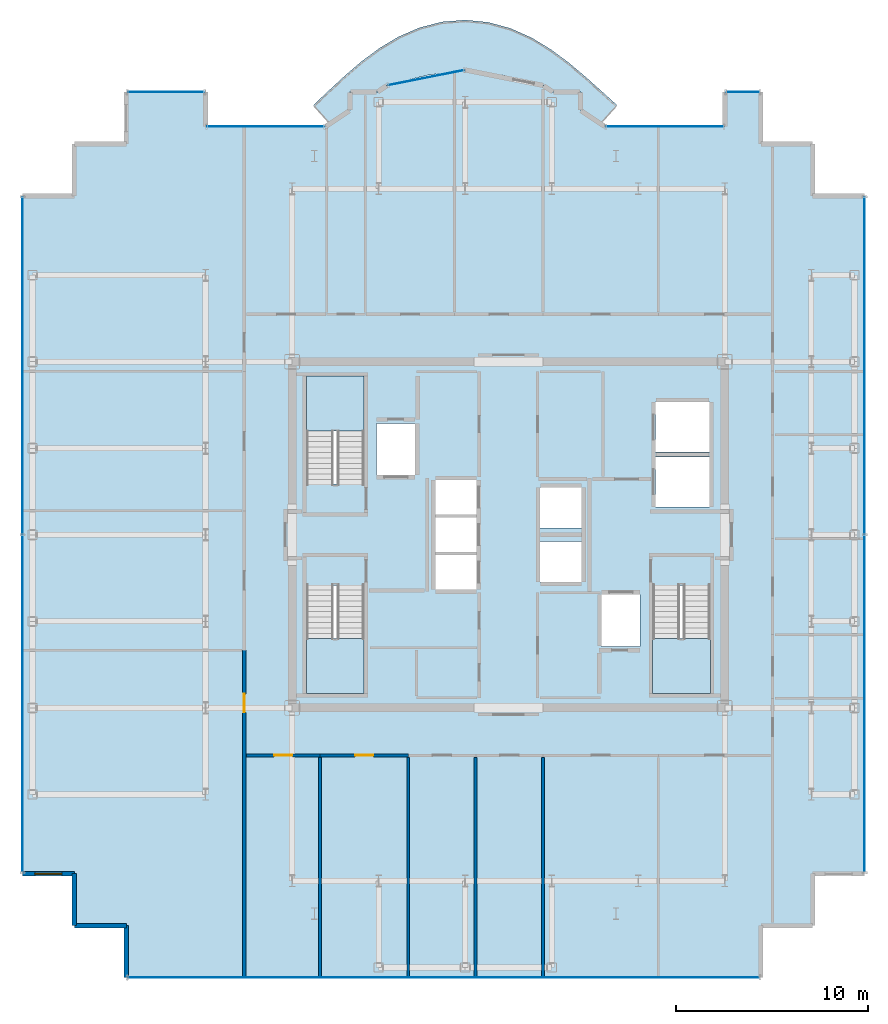
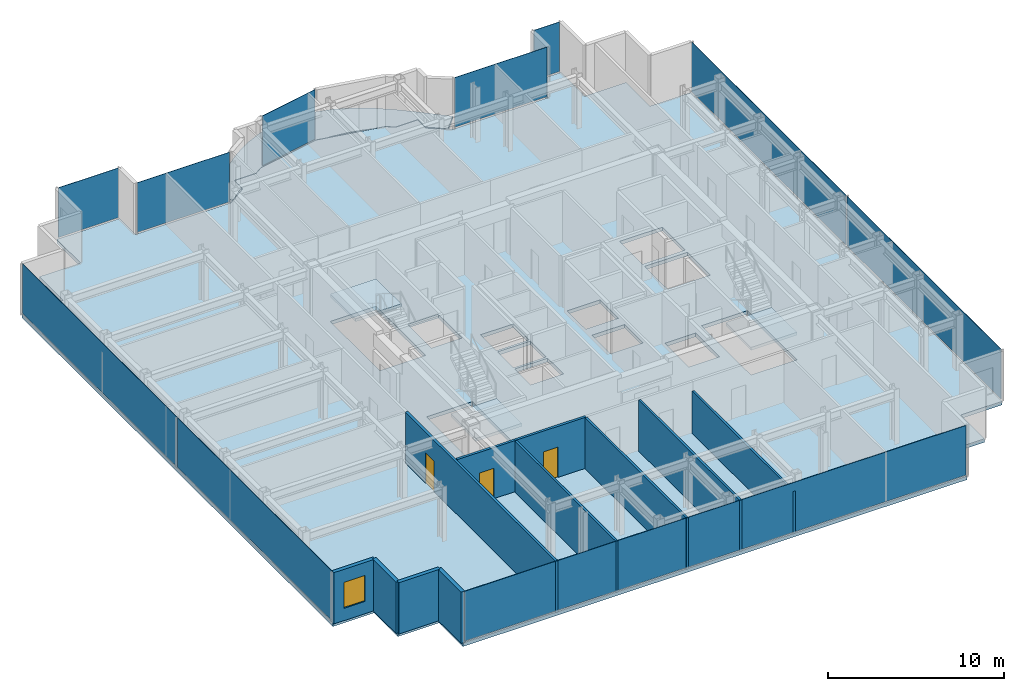
# One storey, part 12 of 18: 11 walls, 10 plates, 5 slabs, 3 doors, 1 window, 4 openings, 11 elements without a shape of their own.
"""IFC4 building model written with IfcOpenShell, lengths in metres."""

import ifcopenshell
import ifcopenshell.guid

model = None  # the IFC model being written
_history = None  # IfcOwnerHistory: only IFC2X3 demands one
_inside = {}  # id of a spatial element -> (the spatial element, [elements in it])
_under = {}  # id of a project, library or spatial element -> (it, [spatial elements below it])
_declared = {}  # id of a project -> (the project, [libraries it declares])
_typed = {}  # id of a type object -> (the type object, [elements of that type])
_made_of = {}  # id of a material, layer set ... -> (it, [elements and type objects made of it])


def new_model(schema):
    """Start an empty IFC model of exactly this schema.

    Asked for "IFC4X3", IfcOpenShell would pick the latest addendum, in which some entities
    have other attributes; the version numbers below select the first issue.
    IFC2X3 requires an IfcOwnerHistory on every rooted entity: one is made here for all.
    """
    global model, _history
    if schema == "IFC4X3":
        model = ifcopenshell.file(schema_version=(4, 3, 0, 0))
    else:
        model = ifcopenshell.file(schema=schema)
    _inside.clear()
    _under.clear()
    _declared.clear()
    _typed.clear()
    _made_of.clear()
    _history = None
    if model.schema == "IFC2X3":
        org = make("IfcOrganization", Name="unknown")
        user = make(
            "IfcPersonAndOrganization",
            ThePerson=make("IfcPerson", FamilyName="unknown"),
            TheOrganization=org,
        )
        app = make(
            "IfcApplication",
            ApplicationDeveloper=org,
            Version="unknown",
            ApplicationFullName="unknown",
            ApplicationIdentifier="unknown",
        )
        _history = make(
            "IfcOwnerHistory",
            OwningUser=user,
            OwningApplication=app,
            ChangeAction="ADDED",
            CreationDate=0,
        )
    return model


def make(cls, **values):
    """One entity of the class cls with the attributes given. An attribute that is None is left unset."""
    return model.create_entity(
        cls, **{name: value for name, value in values.items() if value is not None}
    )


def rooted(cls, **values):
    """An entity with a GlobalId (a new one), such as an element, a storey or a relation."""
    return make(cls, GlobalId=ifcopenshell.guid.new(), OwnerHistory=_history, **values)


def si_unit(unit_type, name, prefix=None):
    """IfcSIUnit, for example si_unit("LENGTHUNIT", "METRE", prefix="MILLI")."""
    return make("IfcSIUnit", UnitType=unit_type, Prefix=prefix, Name=name)


def assignment(units):
    """IfcUnitAssignment: the units of a project."""
    return None if units is None else make("IfcUnitAssignment", Units=units)


def point(xyz):
    """IfcCartesianPoint."""
    return None if xyz is None else make("IfcCartesianPoint", Coordinates=xyz)


def direction(xyz):
    """IfcDirection."""
    return None if xyz is None else make("IfcDirection", DirectionRatios=xyz)


def frame(location, z_axis=None, x_axis=None):
    """IfcAxis2Placement3D, a coordinate frame: its origin and axes. An axis left out is left unset."""
    return make(
        "IfcAxis2Placement3D",
        Location=point(location),
        Axis=direction(z_axis),
        RefDirection=direction(x_axis),
    )


def frame_2d(location, x_axis=None):
    """IfcAxis2Placement2D, a coordinate frame in the plane: its origin and x axis."""
    return make(
        "IfcAxis2Placement2D", Location=point(location), RefDirection=direction(x_axis)
    )


def origin():
    """The frame at (0, 0, 0) with its axes left unset."""
    return frame((0.0, 0.0, 0.0))


def origin_2d():
    """The frame at (0, 0) in the plane with its x axis left unset."""
    return frame_2d((0.0, 0.0))


def place(relative_to, where):
    """IfcLocalPlacement: puts the frame where relative to a parent placement (None: the world)."""
    return make(
        "IfcLocalPlacement", PlacementRelTo=relative_to, RelativePlacement=where
    )


def context(
    kind, dimensions, precision=None, world=None, true_north=None, identifier=None
):
    """IfcGeometricRepresentationContext, for example the 3D "Model" context."""
    return make(
        "IfcGeometricRepresentationContext",
        ContextIdentifier=identifier,
        ContextType=kind,
        CoordinateSpaceDimension=dimensions,
        Precision=precision,
        WorldCoordinateSystem=world,
        TrueNorth=true_north,
    )


def subcontext(parent, identifier, kind, view, scale=None):
    """IfcGeometricRepresentationSubContext, for example "Body" below "Model"."""
    return make(
        "IfcGeometricRepresentationSubContext",
        ContextIdentifier=identifier,
        ContextType=kind,
        ParentContext=parent,
        TargetScale=scale,
        TargetView=view,
    )


def project(units=None, contexts=None):
    """IfcProject with its units and contexts."""
    return rooted(
        "IfcProject",
        Name="project",
        RepresentationContexts=contexts,
        UnitsInContext=assignment(units),
    )


def spatial(cls, under=None, at=None, **own):
    """A site, building, storey or space (cls), placed at a placement, below another one or the project."""
    s = rooted(cls, ObjectPlacement=at, **own)
    if under is not None:
        _under.setdefault(under.id(), (under, []))[1].append(s)
    return s


def polyline(points):
    """IfcPolyline through the points."""
    return make("IfcPolyline", Points=[point(p) for p in points])


def profile(cls, at=None, kind="AREA", **sizes):
    """A parametric profile (cls). Its sizes go by their IFC names, for example OverallWidth=200.0."""
    return make(cls, ProfileType=kind, Position=at, **sizes)


def rectangle(**sizes):
    """IfcRectangleProfileDef."""
    return profile("IfcRectangleProfileDef", **sizes)


def outline(outer, holes=None, kind="AREA"):
    """IfcArbitraryClosedProfileDef: a profile drawn as a closed curve; with holes, ...WithVoids."""
    if holes is None:
        return make("IfcArbitraryClosedProfileDef", ProfileType=kind, OuterCurve=outer)
    return make(
        "IfcArbitraryProfileDefWithVoids",
        ProfileType=kind,
        OuterCurve=outer,
        InnerCurves=holes,
    )


def extrude(swept, where, along, depth):
    """IfcExtrudedAreaSolid: the profile swept, set in the frame where, extruded along a direction by depth."""
    return make(
        "IfcExtrudedAreaSolid",
        SweptArea=swept,
        Position=where,
        ExtrudedDirection=direction(along),
        Depth=depth,
    )


def shape(context_of_items, identifier, shape_type, items):
    """IfcShapeRepresentation: the items that make up one representation, for example the "Body"."""
    return make(
        "IfcShapeRepresentation",
        ContextOfItems=context_of_items,
        RepresentationIdentifier=identifier,
        RepresentationType=shape_type,
        Items=items,
    )


def source(mapping_origin, context_of_items, identifier, shape_type, items):
    """IfcRepresentationMap: a shape defined once, which mapped items show again and again."""
    return make(
        "IfcRepresentationMap",
        MappingOrigin=mapping_origin,
        MappedRepresentation=shape(context_of_items, identifier, shape_type, items),
    )


def transform(
    local_origin,
    x_axis=None,
    y_axis=None,
    z_axis=None,
    scale=None,
    scale2=None,
    scale3=None,
    uniform=True,
):
    """IfcCartesianTransformationOperator3D, or its non-uniform kind. x_axis, y_axis, z_axis: its Axis1, 2, 3."""
    if uniform:
        return make(
            "IfcCartesianTransformationOperator3D",
            Axis1=direction(x_axis),
            Axis2=direction(y_axis),
            LocalOrigin=point(local_origin),
            Scale=scale,
            Axis3=direction(z_axis),
        )
    return make(
        "IfcCartesianTransformationOperator3DnonUniform",
        Axis1=direction(x_axis),
        Axis2=direction(y_axis),
        LocalOrigin=point(local_origin),
        Scale=scale,
        Axis3=direction(z_axis),
        Scale2=scale2,
        Scale3=scale3,
    )


def mapped(mapping_source, mapping_target):
    """IfcMappedItem: shows the shape of a source again, moved by a transform."""
    return make(
        "IfcMappedItem", MappingSource=mapping_source, MappingTarget=mapping_target
    )


def material(Name=None, Category=None):
    """IfcMaterial."""
    return make("IfcMaterial", Name=Name, Category=Category)


def layer(
    of_material, thickness, ventilated=None, Name=None, Category=None, Priority=None
):
    """IfcMaterialLayer: one layer of a wall or slab, of a material (None: an air gap)."""
    return make(
        "IfcMaterialLayer",
        Material=of_material,
        LayerThickness=thickness,
        IsVentilated=ventilated,
        Name=Name,
        Category=Category,
        Priority=Priority,
    )


def layer_set(layers, Name=None):
    """IfcMaterialLayerSet."""
    return make("IfcMaterialLayerSet", MaterialLayers=layers, LayerSetName=Name)


def made_of(thing, what):
    """Note that an element or type object is made of a material, layer set ...; save() writes the relation."""
    if what is not None:
        _made_of.setdefault(what.id(), (what, []))[1].append(thing)
    return thing


def type_object(cls, material=None, **own):
    """A type object (cls), such as IfcWallType, which elements share."""
    return made_of(rooted(cls, **own), material)


def element(
    cls,
    number,
    at=None,
    inside=None,
    cuts=None,
    type_object=None,
    material=None,
    context=None,
    identifier="Body",
    shape_type=None,
    held_by="IfcProductDefinitionShape",
    body=None,
    shapes=None,
    **own,
):
    """One element of the class cls, such as IfcWall. Its Tag is "e" and its number.

    at: its placement. inside: the storey or other place that contains it. cuts: it is an
    opening in that element (IfcRelVoidsElement). A single representation is given by context,
    identifier, shape_type and body (its items); several are given by shapes. held_by: the class
    of the entity that holds the representations. save() writes the other relations.
    """
    e = rooted(cls, Tag="e%d" % number, ObjectPlacement=at, **own)
    if body is not None:
        shapes = [shape(context, identifier, shape_type, body)]
    if shapes is not None:
        e.Representation = make(held_by, Representations=shapes)
    if inside is not None:
        _inside.setdefault(inside.id(), (inside, []))[1].append(e)
    if cuts is not None:
        rooted(
            "IfcRelVoidsElement", RelatingBuildingElement=cuts, RelatedOpeningElement=e
        )
    if type_object is not None:
        _typed.setdefault(type_object.id(), (type_object, []))[1].append(e)
    return made_of(e, material)


def fill(opening, filler):
    """IfcRelFillsElement: the door or window that sits in an opening."""
    return rooted(
        "IfcRelFillsElement",
        RelatingOpeningElement=opening,
        RelatedBuildingElement=filler,
    )


def aggregate(whole, parts):
    """IfcRelAggregates: a whole, such as a stair, and the parts it consists of."""
    return rooted("IfcRelAggregates", RelatingObject=whole, RelatedObjects=parts)


def save(model, path):
    """Write the relations noted so far, then the file.

    IfcRelAggregates (storeys below a building ...), IfcRelContainedInSpatialStructure (elements
    in a storey), IfcRelDefinesByType, IfcRelAssociatesMaterial and IfcRelDeclares: one each for
    every whole, place, type object, material and project.
    """
    for whole, parts in _under.values():
        aggregate(whole, parts)
    for where, things in _inside.values():
        rooted(
            "IfcRelContainedInSpatialStructure",
            RelatedElements=things,
            RelatingStructure=where,
        )
    for kind, things in _typed.values():
        rooted("IfcRelDefinesByType", RelatedObjects=things, RelatingType=kind)
    for what, things in _made_of.values():
        rooted("IfcRelAssociatesMaterial", RelatedObjects=things, RelatingMaterial=what)
    for by, libraries in _declared.values():
        rooted("IfcRelDeclares", RelatingContext=by, RelatedDefinitions=libraries)
    model.write(path)


model = new_model("IFC4")

# Units and contexts
model_context = context("Model", 3, precision=1e-05, world=origin(), true_north=direction((0.0, 1.0)))
body_context = subcontext(model_context, "Body", "Model", "MODEL_VIEW")
ifc_project = project(units=[si_unit("LENGTHUNIT", "METRE"), si_unit("AREAUNIT", "SQUARE_METRE"), si_unit("VOLUMEUNIT", "CUBIC_METRE"), si_unit("PLANEANGLEUNIT", "RADIAN"), si_unit("MASSUNIT", "GRAM", prefix="KILO")], contexts=[model_context])

# Site, building, storey
site_placement = place(None, origin())
site = spatial("IfcSite", under=ifc_project, at=site_placement, CompositionType="ELEMENT")
building_placement = place(site_placement, origin())
building = spatial("IfcBuilding", under=site, at=building_placement, Name="Nefas-Gora Pilgrimage Tower", CompositionType="ELEMENT")
storey_placement = place(building_placement, frame((0.0, 0.0, 291.199951171875)))
storey = spatial("IfcBuildingStorey", under=building, at=storey_placement, Name="L73", CompositionType="ELEMENT", Elevation=291.199951171875)

# Slabs
ifc_material_1 = material(Name="Concrete C40/50", Category="concrete")
ifc_layer_1 = layer(ifc_material_1, 0.219970703125)
ifc_layer_set_1 = layer_set([ifc_layer_1], Name="Concrete C40/50")
slab_type_1 = type_object("IfcSlabType", Name="SLB-BAL-P6", PredefinedType="FLOOR", material=ifc_layer_set_1)
slab_1_placement = place(storey_placement, frame((0.0, 0.0, -0.219970703125)))
element("IfcSlab", 1, at=slab_1_placement, inside=storey, type_object=slab_type_1, Name="L73 Sinusoidal Lobe Balcony Slab N (Phase 6)", PredefinedType="FLOOR", context=body_context, shape_type="SweptSolid", body=[
    extrude(outline(polyline([(-9.28759765625, 21.385986328125), (-9.224609375, 21.427978515625), (-8.538330078125, 21.9912109375), (-8.260009765625, 22.179931640625), (-8.260009765625, 23.02001953125), (-8.260009765625, 23.02099609375), (-8.259765625, 23.02197265625), (-8.259521484375, 23.02294921875), (-8.25927734375, 23.023681640625), (-8.2587890625, 23.024658203125), (-8.25830078125, 23.025634765625), (-8.2578125, 23.0263671875), (-8.257080078125, 23.027099609375), (-8.25634765625, 23.027587890625), (-8.255615234375, 23.0283203125), (-8.254638671875, 23.02880859375), (-8.25390625, 23.029296875), (-8.2529296875, 23.029541015625), (-8.251953125, 23.02978515625), (-8.2509765625, 23.030029296875), (-8.25, 23.030029296875), (-6.8271484375, 23.030029296875), (-6.31298828125, 23.37353515625), (-6.31201171875, 23.3740234375), (-6.311279296875, 23.37451171875), (-6.310302734375, 23.375), (-6.309326171875, 23.375), (-5.63037109375, 23.51025390625), (-5.102783203125, 23.685302734375), (-4.165283203125, 23.904052734375), (-3.211669921875, 24.035888671875), (-2.919921875, 24.04931640625), (-2.251953125, 24.18212890625), (-2.2509765625, 24.182373046875), (-2.25, 24.182373046875), (-2.2490234375, 24.182373046875), (-2.248046875, 24.18212890625), (-1.580078125, 24.04931640625), (-1.288330078125, 24.035888671875), (-0.334716796875, 23.904052734375), (0.602783203125, 23.685302734375), (1.13037109375, 23.51025390625), (1.809326171875, 23.375), (1.810302734375, 23.375), (1.811279296875, 23.37451171875), (1.81201171875, 23.3740234375), (1.81298828125, 23.37353515625), (2.3271484375, 23.030029296875), (3.75, 23.030029296875), (3.7509765625, 23.030029296875), (3.751953125, 23.02978515625), (3.7529296875, 23.029541015625), (3.75390625, 23.029296875), (3.754638671875, 23.02880859375), (3.755615234375, 23.0283203125), (3.75634765625, 23.027587890625), (3.757080078125, 23.027099609375), (3.7578125, 23.0263671875), (3.75830078125, 23.025634765625), (3.7587890625, 23.024658203125), (3.75927734375, 23.023681640625), (3.759521484375, 23.02294921875), (3.759765625, 23.02197265625), (3.760009765625, 23.02099609375), (3.760009765625, 23.02001953125), (3.760009765625, 22.179931640625), (4.038330078125, 21.9912109375), (4.724609375, 21.427978515625), (4.78759765625, 21.385986328125), (5.645751953125, 22.339111328125), (4.84130859375, 23.06640625), (4.02001953125, 23.801513671875), (3.15576171875, 24.53173828125), (2.224365234375, 25.226318359375), (1.211181640625, 25.84228515625), (0.115234375, 26.33203125), (-1.048095703125, 26.6513671875), (-2.25, 26.769287109375), (-3.4541015625, 26.67333984375), (-4.622802734375, 26.3720703125), (-5.7255859375, 25.8935546875), (-6.7451171875, 25.280517578125), (-7.6796875, 24.580322265625), (-8.5419921875, 23.837646484375), (-9.355712890625, 23.085693359375), (-10.1474609375, 22.3408203125), (-9.28759765625, 21.385986328125)])), origin(), (0.0, 0.0, 1.0), 0.219970703125),
])
ifc_layer_2 = layer(ifc_material_1, 0.25)
ifc_layer_set_2 = layer_set([ifc_layer_2], Name="Concrete C40/50")
slab_type_2 = type_object("IfcSlabType", Name="SLB-TWR-260", PredefinedType="FLOOR", material=ifc_layer_set_2)
slab_2_placement = place(storey_placement, frame((0.0, 0.0, -0.25)))
element("IfcSlab", 2, at=slab_2_placement, inside=storey, type_object=slab_type_2, Name="L73 Structural Floor Slab", PredefinedType="FLOOR", context=body_context, shape_type="SweptSolid", body=[
    extrude(outline(polyline([(15.820068359375, -17.6201171875), (18.52001953125, -17.6201171875), (18.52001953125, 17.6201171875), (15.820068359375, 17.6201171875), (15.820068359375, 20.320068359375), (13.1201171875, 20.320068359375), (13.1201171875, 23.02001953125), (11.25, 23.02001953125), (11.25, 21.219970703125), (5.01806640625, 21.219970703125), (3.75, 22.0673828125), (3.75, 23.02001953125), (2.32421875, 23.02001953125), (1.807373046875, 23.365234375), (-2.25, 24.17236328125), (-6.307373046875, 23.365234375), (-6.82421875, 23.02001953125), (-8.25, 23.02001953125), (-8.25, 22.0673828125), (-9.51806640625, 21.219970703125), (-15.75, 21.219970703125), (-15.75, 23.02001953125), (-19.8701171875, 23.02001953125), (-19.8701171875, 20.320068359375), (-22.570068359375, 20.320068359375), (-22.570068359375, 17.6201171875), (-25.27001953125, 17.6201171875), (-25.27001953125, -17.6201171875), (-22.570068359375, -17.6201171875), (-22.570068359375, -20.320068359375), (-19.8701171875, -20.320068359375), (-19.8701171875, -23.02001953125), (13.1201171875, -23.02001953125), (13.1201171875, -20.320068359375), (15.820068359375, -20.320068359375), (15.820068359375, -17.6201171875)]), holes=[polyline([(-10.5, 2.639892578125), (-10.5, 8.25), (-7.5, 8.25), (-7.5, 2.639892578125), (-10.5, 2.639892578125)]), polyline([(10.5, -2.639892578125), (10.5, -8.25), (7.5, -8.25), (7.5, -2.639892578125), (10.5, -2.639892578125)]), polyline([(-7.5, -2.639892578125), (-7.5, -8.25), (-10.5, -8.25), (-10.5, -2.639892578125), (-7.5, -2.639892578125)]), polyline([(-6.85009765625, 5.800048828125), (-4.85009765625, 5.800048828125), (-4.85009765625, 3.10009765625), (-6.85009765625, 3.10009765625), (-6.85009765625, 5.800048828125)]), polyline([(4.85009765625, -3.10009765625), (6.85009765625, -3.10009765625), (6.85009765625, -5.800048828125), (4.85009765625, -5.800048828125), (4.85009765625, -3.10009765625)]), polyline([(7.64990234375, 4.050048828125), (10.449951171875, 4.050048828125), (10.449951171875, 1.449951171875), (7.64990234375, 1.449951171875), (7.64990234375, 4.050048828125)]), polyline([(7.64990234375, 6.89990234375), (10.449951171875, 6.89990234375), (10.449951171875, 4.300048828125), (7.64990234375, 4.300048828125), (7.64990234375, 6.89990234375)]), polyline([(-3.800048828125, -1.050048828125), (-1.64990234375, -1.050048828125), (-1.64990234375, -2.85009765625), (-3.800048828125, -2.85009765625), (-3.800048828125, -1.050048828125)]), polyline([(-3.800048828125, 0.89990234375), (-1.64990234375, 0.89990234375), (-1.64990234375, -0.89990234375), (-3.800048828125, -0.89990234375), (-3.800048828125, 0.89990234375)]), polyline([(-3.800048828125, 2.85009765625), (-1.64990234375, 2.85009765625), (-1.64990234375, 1.050048828125), (-3.800048828125, 1.050048828125), (-3.800048828125, 2.85009765625)]), polyline([(1.64990234375, -0.35009765625), (3.800048828125, -0.35009765625), (3.800048828125, -2.449951171875), (1.64990234375, -2.449951171875), (1.64990234375, -0.35009765625)]), polyline([(1.64990234375, 2.449951171875), (3.800048828125, 2.449951171875), (3.800048828125, 0.35009765625), (1.64990234375, 0.35009765625), (1.64990234375, 2.449951171875)])]), origin(), (0.0, 0.0, 1.0), 0.25),
])

# Stair, slab
ifc_material_2 = material(Name="Concrete C45/55", Category="concrete")
stair_type = type_object("IfcStairType", Name="STR-1400-R1727", PredefinedType="HALF_TURN_STAIR", material=ifc_material_2)
stair_1_placement = place(storey_placement, origin())
stair_1 = element("IfcStair", 3, at=stair_1_placement, inside=storey, type_object=stair_type, Name="L73 Pressurised Tower Exit Stair ST-01", PredefinedType="HALF_TURN_STAIR")
ifc_layer_3 = layer(ifc_material_1, 0.199951171875)
ifc_layer_set_3 = layer_set([ifc_layer_3], Name="Concrete C40/50")
slab_type_3 = type_object("IfcSlabType", Name="STR-LAND-200", PredefinedType="LANDING", material=ifc_layer_set_3)
slab_3_placement = place(storey_placement, frame((0.0, 0.0, 1.699951171875)))
slab_3 = element("IfcSlab", 4, at=slab_3_placement, type_object=slab_type_3, Name="ST-01 landing 1", PredefinedType="LANDING", context=body_context, shape_type="SweptSolid", body=[
    extrude(outline(polyline([(-7.5, 5.39990234375), (-7.5, 8.25), (-10.5, 8.25), (-10.5, 5.39990234375), (-7.5, 5.39990234375)])), origin(), (0.0, 0.0, 1.0), 0.2001953125),
])
aggregate(stair_1, [slab_3])

stair_2_placement = place(storey_placement, origin())
stair_2 = element("IfcStair", 5, at=stair_2_placement, inside=storey, type_object=stair_type, Name="L73 Pressurised Tower Exit Stair ST-02", PredefinedType="HALF_TURN_STAIR")
slab_4_placement = place(storey_placement, frame((0.0, 0.0, 1.699951171875)))
slab_4 = element("IfcSlab", 6, at=slab_4_placement, type_object=slab_type_3, Name="ST-02 landing 1", PredefinedType="LANDING", context=body_context, shape_type="SweptSolid", body=[
    extrude(outline(polyline([(7.5, -5.39990234375), (7.5, -8.25), (10.5, -8.25), (10.5, -5.39990234375), (7.5, -5.39990234375)])), origin(), (0.0, 0.0, 1.0), 0.2001953125),
])
aggregate(stair_2, [slab_4])

stair_3_placement = place(storey_placement, origin())
stair_3 = element("IfcStair", 7, at=stair_3_placement, inside=storey, type_object=stair_type, Name="L73 Pressurised Tower Exit Stair ST-03", PredefinedType="HALF_TURN_STAIR")
slab_5_placement = place(storey_placement, frame((0.0, 0.0, 1.699951171875)))
slab_5 = element("IfcSlab", 8, at=slab_5_placement, type_object=slab_type_3, Name="ST-03 landing 1", PredefinedType="LANDING", context=body_context, shape_type="SweptSolid", body=[
    extrude(outline(polyline([(-10.5, -5.39990234375), (-10.5, -8.25), (-7.5, -8.25), (-7.5, -5.39990234375), (-10.5, -5.39990234375)])), origin(), (0.0, 0.0, 1.0), 0.2001953125),
])
aggregate(stair_3, [slab_5])

# Curtain wall, plate
ifc_material_3 = material(Name="Dark ceramic-fritted solar-control aluminium-glass curtain wall", Category="aluminium")
ifc_layer_4 = layer(ifc_material_3, 0.219970703125)
ifc_layer_set_4 = layer_set([ifc_layer_4], Name="Dark ceramic-fritted solar-control aluminium-glass curtain wall")
curtain_wall_type_1 = type_object("IfcCurtainWallType", Name="CW-SYS-5", PredefinedType="NOTDEFINED", material=ifc_layer_set_4)
curtain_wall_1_placement = place(storey_placement, origin())
curtain_wall_1 = element("IfcCurtainWall", 9, at=curtain_wall_1_placement, inside=storey, type_object=curtain_wall_type_1, Name="L73 Unitised Curtain Wall CW5", PredefinedType="NOTDEFINED")
ifc_material_4 = material(Name="Dark ceramic-printed low-e insulated glass", Category="glass")
ifc_layer_5 = layer(ifc_material_4, 0.028076171875)
ifc_layer_set_5 = layer_set([ifc_layer_5], Name="Dark ceramic-printed low-e insulated glass")
plate_type_1 = type_object("IfcPlateType", Name="CWP-PNL-5", PredefinedType="CURTAIN_PANEL", material=ifc_layer_set_5)
shared_shape_1 = source(origin(), body_context, "Body", "SweptSolid", [
    extrude(rectangle(XDim=6.052001953125, YDim=0.028076171875, at=origin_2d()), origin(), (0.0, 0.0, 1.0), 3.43994140625),
])
plate_1_placement = place(storey_placement, frame((8.134033203125, 21.219970703125, 0.10009765625), z_axis=(0.0, 0.0, 1.0), x_axis=(-1.0, 0.0, 0.0)))
plate_1 = element("IfcPlate", 10, at=plate_1_placement, type_object=plate_type_1, Name="CW5 Ceramic-Fritted Glazing Panel 1", PredefinedType="CURTAIN_PANEL", context=body_context, shape_type="MappedRepresentation", body=[
    mapped(shared_shape_1, transform((0.0, 0.0, 0.0), x_axis=(1.0, 0.0, 0.0), y_axis=(0.0, 1.0, 0.0), z_axis=(0.0, 0.0, 1.0), scale=1.0)),
])
aggregate(curtain_wall_1, [plate_1])

curtain_wall_2_placement = place(storey_placement, origin())
curtain_wall_2 = element("IfcCurtainWall", 11, at=curtain_wall_2_placement, inside=storey, type_object=curtain_wall_type_1, Name="L73 Unitised Curtain Wall CW5", PredefinedType="NOTDEFINED")
plate_2_placement = place(storey_placement, frame((-12.634033203125, 21.219970703125, 0.10009765625), z_axis=(0.0, 0.0, 1.0), x_axis=(-1.0, 0.0, 0.0)))
plate_2 = element("IfcPlate", 12, at=plate_2_placement, type_object=plate_type_1, Name="CW5 Ceramic-Fritted Glazing Panel 1", PredefinedType="CURTAIN_PANEL", context=body_context, shape_type="MappedRepresentation", body=[
    mapped(shared_shape_1, transform((0.0, 0.0, 0.0), x_axis=(1.0, 0.0, 0.0), y_axis=(0.0, 1.0, 0.0), z_axis=(0.0, 0.0, 1.0), scale=1.0)),
])
aggregate(curtain_wall_2, [plate_2])

curtain_wall_3_placement = place(storey_placement, origin())
curtain_wall_3 = element("IfcCurtainWall", 13, at=curtain_wall_3_placement, inside=storey, type_object=curtain_wall_type_1, Name="L73 Unitised Curtain Wall CW5", PredefinedType="NOTDEFINED")
shared_shape_2 = source(origin(), body_context, "Body", "SweptSolid", [
    extrude(rectangle(XDim=3.956787109375, YDim=0.028076171875, at=origin_2d()), origin(), (0.0, 0.0, 1.0), 3.43994140625),
])
plate_3_placement = place(storey_placement, frame((-4.278564453125, 23.768798828125, 0.10009765625), z_axis=(0.0, 0.0, 1.0), x_axis=(-0.980782896852, -0.195102304554, 0.0)))
plate_3 = element("IfcPlate", 14, at=plate_3_placement, type_object=plate_type_1, Name="CW5 Ceramic-Fritted Glazing Panel 1", PredefinedType="CURTAIN_PANEL", context=body_context, shape_type="MappedRepresentation", body=[
    mapped(shared_shape_2, transform((0.0, 0.0, 0.0), x_axis=(1.0, 0.0, 0.0), y_axis=(0.0, 1.0, 0.0), z_axis=(0.0, 0.0, 1.0), scale=1.0)),
])
aggregate(curtain_wall_3, [plate_3])

ifc_layer_6 = layer(ifc_material_3, 0.219970703125)
ifc_layer_set_6 = layer_set([ifc_layer_6], Name="Dark ceramic-fritted solar-control aluminium-glass curtain wall")
curtain_wall_type_2 = type_object("IfcCurtainWallType", Name="CW-SYS-4", PredefinedType="NOTDEFINED", material=ifc_layer_set_6)
curtain_wall_4_placement = place(storey_placement, origin())
curtain_wall_4 = element("IfcCurtainWall", 15, at=curtain_wall_4_placement, inside=storey, type_object=curtain_wall_type_2, Name="L73 Unitised Curtain Wall CW4", PredefinedType="NOTDEFINED")
ifc_layer_7 = layer(ifc_material_4, 0.030029296875)
ifc_layer_set_7 = layer_set([ifc_layer_7], Name="Dark ceramic-printed low-e insulated glass")
plate_type_2 = type_object("IfcPlateType", Name="CWP-PNL-4", PredefinedType="CURTAIN_PANEL", material=ifc_layer_set_7)
shared_shape_3 = source(origin(), body_context, "Body", "SweptSolid", [
    extrude(rectangle(XDim=1.68994140625, YDim=0.030029296875, at=origin_2d()), origin(), (0.0, 0.0, 1.0), 3.43994140625),
])
plate_4_placement = place(storey_placement, frame((12.18505859375, 23.02001953125, 0.10009765625), z_axis=(0.0, 0.0, 1.0), x_axis=(-1.0, 0.0, 0.0)))
plate_4 = element("IfcPlate", 16, at=plate_4_placement, type_object=plate_type_2, Name="CW4 Ceramic-Fritted Glazing Panel 1", PredefinedType="CURTAIN_PANEL", context=body_context, shape_type="MappedRepresentation", body=[
    mapped(shared_shape_3, transform((0.0, 0.0, 0.0), x_axis=(1.0, 0.0, 0.0), y_axis=(0.0, 1.0, 0.0), z_axis=(0.0, 0.0, 1.0), scale=1.0)),
])
aggregate(curtain_wall_4, [plate_4])

curtain_wall_5_placement = place(storey_placement, origin())
curtain_wall_5 = element("IfcCurtainWall", 17, at=curtain_wall_5_placement, inside=storey, type_object=curtain_wall_type_2, Name="L73 Unitised Curtain Wall CW4", PredefinedType="NOTDEFINED")
shared_shape_4 = source(origin(), body_context, "Body", "SweptSolid", [
    extrude(rectangle(XDim=3.93994140625, YDim=0.030029296875, at=origin_2d()), origin(), (0.0, 0.0, 1.0), 3.43994140625),
])
plate_5_placement = place(storey_placement, frame((-17.81005859375, 23.02001953125, 0.10009765625), z_axis=(0.0, 0.0, 1.0), x_axis=(-1.0, 0.0, 0.0)))
plate_5 = element("IfcPlate", 18, at=plate_5_placement, type_object=plate_type_2, Name="CW4 Ceramic-Fritted Glazing Panel 1", PredefinedType="CURTAIN_PANEL", context=body_context, shape_type="MappedRepresentation", body=[
    mapped(shared_shape_4, transform((0.0, 0.0, 0.0), x_axis=(1.0, 0.0, 0.0), y_axis=(0.0, 1.0, 0.0), z_axis=(0.0, 0.0, 1.0), scale=1.0)),
])
aggregate(curtain_wall_5, [plate_5])

curtain_wall_6_placement = place(storey_placement, origin())
curtain_wall_6 = element("IfcCurtainWall", 19, at=curtain_wall_6_placement, inside=storey, type_object=curtain_wall_type_2, Name="L73 Unitised Curtain Wall CW4", PredefinedType="NOTDEFINED")
shared_shape_5 = source(origin(), body_context, "Body", "SweptSolid", [
    extrude(rectangle(XDim=32.81005859375, YDim=0.030029296875, at=origin_2d()), origin(), (0.0, 0.0, 1.0), 3.43994140625),
])
plate_6_placement = place(storey_placement, frame((-3.375, -23.02001953125, 0.10009765625), z_axis=(0.0, 0.0, 1.0), x_axis=(1.0, 0.0, 0.0)))
plate_6 = element("IfcPlate", 20, at=plate_6_placement, type_object=plate_type_2, Name="CW4 Ceramic-Fritted Glazing Panel 1", PredefinedType="CURTAIN_PANEL", context=body_context, shape_type="MappedRepresentation", body=[
    mapped(shared_shape_5, transform((0.0, 0.0, 0.0), x_axis=(1.0, 0.0, 0.0), y_axis=(0.0, 1.0, 0.0), z_axis=(0.0, 0.0, 1.0), scale=1.0)),
])
aggregate(curtain_wall_6, [plate_6])

# Curtain wall, plates
curtain_wall_7_placement = place(storey_placement, origin())
curtain_wall_7 = element("IfcCurtainWall", 21, at=curtain_wall_7_placement, inside=storey, type_object=curtain_wall_type_2, Name="L73 Unitised Curtain Wall CW4", PredefinedType="NOTDEFINED")
shared_shape_6 = source(origin(), body_context, "Body", "SweptSolid", [
    extrude(rectangle(XDim=17.485107421875, YDim=0.030029296875, at=origin_2d()), origin(), (0.0, 0.0, 1.0), 3.43994140625),
])
plate_7_placement = place(storey_placement, frame((18.52001953125, -8.78759765625, 0.10009765625), z_axis=(0.0, 0.0, 1.0), x_axis=(0.0, 1.0, 0.0)))
plate_7 = element("IfcPlate", 22, at=plate_7_placement, type_object=plate_type_2, Name="CW4 Ceramic-Fritted Glazing Panel 1", PredefinedType="CURTAIN_PANEL", context=body_context, shape_type="MappedRepresentation", body=[
    mapped(shared_shape_6, transform((0.0, 0.0, 0.0), x_axis=(1.0, 0.0, 0.0), y_axis=(0.0, 1.0, 0.0), z_axis=(0.0, 0.0, 1.0), scale=1.0)),
])
plate_8_placement = place(storey_placement, frame((18.52001953125, 8.78759765625, 0.10009765625), z_axis=(0.0, 0.0, 1.0), x_axis=(0.0, 1.0, 0.0)))
plate_8 = element("IfcPlate", 23, at=plate_8_placement, type_object=plate_type_2, Name="CW4 Ceramic-Fritted Glazing Panel 2", PredefinedType="CURTAIN_PANEL", context=body_context, shape_type="MappedRepresentation", body=[
    mapped(shared_shape_6, transform((0.0, 0.0, 0.0), x_axis=(1.0, 0.0, 0.0), y_axis=(0.0, 1.0, 0.0), z_axis=(0.0, 0.0, 1.0), scale=1.0)),
])
aggregate(curtain_wall_7, [plate_7, plate_8])

curtain_wall_8_placement = place(storey_placement, origin())
curtain_wall_8 = element("IfcCurtainWall", 24, at=curtain_wall_8_placement, inside=storey, type_object=curtain_wall_type_2, Name="L73 Unitised Curtain Wall CW4", PredefinedType="NOTDEFINED")
plate_9_placement = place(storey_placement, frame((-25.27001953125, 8.78759765625, 0.10009765625), z_axis=(0.0, 0.0, 1.0), x_axis=(0.0, -1.0, 0.0)))
plate_9 = element("IfcPlate", 25, at=plate_9_placement, type_object=plate_type_2, Name="CW4 Ceramic-Fritted Glazing Panel 1", PredefinedType="CURTAIN_PANEL", context=body_context, shape_type="MappedRepresentation", body=[
    mapped(shared_shape_6, transform((0.0, 0.0, 0.0), x_axis=(1.0, 0.0, 0.0), y_axis=(0.0, 1.0, 0.0), z_axis=(0.0, 0.0, 1.0), scale=1.0)),
])
plate_10_placement = place(storey_placement, frame((-25.27001953125, -8.78759765625, 0.10009765625), z_axis=(0.0, 0.0, 1.0), x_axis=(0.0, -1.0, 0.0)))
plate_10 = element("IfcPlate", 26, at=plate_10_placement, type_object=plate_type_2, Name="CW4 Ceramic-Fritted Glazing Panel 2", PredefinedType="CURTAIN_PANEL", context=body_context, shape_type="MappedRepresentation", body=[
    mapped(shared_shape_6, transform((0.0, 0.0, 0.0), x_axis=(1.0, 0.0, 0.0), y_axis=(0.0, 1.0, 0.0), z_axis=(0.0, 0.0, 1.0), scale=1.0)),
])
aggregate(curtain_wall_8, [plate_9, plate_10])

# Wall, opening, window
ifc_material_5 = material(Name="Precast concrete C45/55", Category="concrete")
ifc_layer_8 = layer(ifc_material_5, 0.239990234375)
ifc_layer_set_8 = layer_set([ifc_layer_8], Name="Precast concrete C45/55")
wall_type_1 = type_object("IfcWallType", Name="EW-SERR-240", PredefinedType="SHEAR", material=ifc_layer_set_8)
shared_shape_7 = source(origin(), body_context, "Body", "SweptSolid", [
    extrude(rectangle(XDim=2.699951171875, YDim=0.239990234375, at=frame_2d((1.35009765625, 0.0))), origin(), (0.0, 0.0, 1.0), 3.550048828125),
])
wall_1_placement = place(storey_placement, frame((-25.27001953125, -17.6201171875, 0.0), z_axis=(0.0, 0.0, 1.0), x_axis=(1.0, 0.0, 0.0)))
wall_1 = element("IfcWall", 27, at=wall_1_placement, inside=storey, type_object=wall_type_1, Name="L73 Serrated Corner Shear Pier Wall 21", PredefinedType="SHEAR", context=body_context, shape_type="MappedRepresentation", body=[
    mapped(shared_shape_7, transform((0.0, 0.0, 0.0), x_axis=(1.0, 0.0, 0.0), y_axis=(0.0, 1.0, 0.0), z_axis=(0.0, 0.0, 1.0), scale=1.0)),
])
opening_1_placement = place(wall_1_placement, frame((0.64990234375, 0.0, 0.85009765625)))
opening_1 = element("IfcOpeningElement", 28, at=opening_1_placement, cuts=wall_1, Name="Opening W-V2", PredefinedType="OPENING", context=body_context, shape_type="SweptSolid", body=[
    extrude(rectangle(XDim=1.39990234375, YDim=1.800048828125, at=frame_2d((0.699951171875, 0.89990234375))), frame((0.0, 0.1298828125, 0.0), z_axis=(0.0, -1.0, 0.0), x_axis=(1.0, 0.0, 0.0)), (0.0, 0.0, 1.0), 0.260009765625),
])
ifc_material_6 = material(Name="Dark ceramic-fritted operable aluminium-glass window", Category="aluminium")
window_type = type_object("IfcWindowType", Name="WIN-VENT-1400x1800", PartitioningType="SINGLE_PANEL", PredefinedType="WINDOW", material=ifc_material_6)
shared_shape_8 = source(origin(), body_context, "Body", "SweptSolid", [
    extrude(rectangle(XDim=1.39990234375, YDim=1.800048828125, at=frame_2d((0.699951171875, 0.89990234375))), frame((0.0, 0.030029296875, 0.0), z_axis=(0.0, -1.0, 0.0), x_axis=(1.0, 0.0, 0.0)), (0.0, 0.0, 1.0), 0.06005859375),
])
window_placement = place(opening_1_placement, origin())
window = element("IfcWindow", 29, at=window_placement, inside=storey, type_object=window_type, Name="L73 Operable Parallel-Outswing Window 21", OverallHeight=1.800048828125, OverallWidth=1.39990234375, PartitioningType="SINGLE_PANEL", PredefinedType="WINDOW", context=body_context, shape_type="MappedRepresentation", body=[
    mapped(shared_shape_8, transform((0.0, 0.0, 0.0), x_axis=(1.0, 0.0, 0.0), y_axis=(0.0, 1.0, 0.0), z_axis=(0.0, 0.0, 1.0), scale=1.0)),
])
fill(opening_1, window)

# Walls
for number, where, z_axis, x_axis, name in (
    (30, (-22.570068359375, -17.6201171875, 0.0), (0.0, 0.0, 1.0), (0.0, -1.0, 0.0), "L73 Serrated Corner Shear Pier Wall 22"),
    (31, (-22.570068359375, -20.320068359375, 0.0), (0.0, 0.0, 1.0), (1.0, 0.0, 0.0), "L73 Serrated Corner Shear Pier Wall 23"),
    (32, (-19.8701171875, -20.320068359375, 0.0), (0.0, 0.0, 1.0), (0.0, -1.0, 0.0), "L73 Serrated Corner Shear Pier Wall 24"),
):
    element("IfcWall", number, at=place(storey_placement, frame(where, z_axis=z_axis, x_axis=x_axis)), inside=storey, type_object=wall_type_1, Name=name, PredefinedType="SHEAR", context=body_context, shape_type="MappedRepresentation", body=[
        mapped(shared_shape_7, transform((0.0, 0.0, 0.0), x_axis=(1.0, 0.0, 0.0), y_axis=(0.0, 1.0, 0.0), z_axis=(0.0, 0.0, 1.0), scale=1.0)),
    ])

# Wall, opening, door
ifc_material_7 = material(Name="Gypsum acoustic stud partition")
ifc_layer_9 = layer(ifc_material_7, 0.159912109375)
ifc_layer_set_9 = layer_set([ifc_layer_9], Name="Gypsum acoustic stud partition")
wall_type_2 = type_object("IfcWallType", Name="IW-CORR-160", PredefinedType="PARTITIONING", material=ifc_layer_set_9)
shared_shape_9 = source(origin(), body_context, "Body", "SweptSolid", [
    extrude(rectangle(XDim=3.8251953125, YDim=0.159912109375, at=frame_2d((1.91259765625, 0.0))), origin(), (0.0, 0.0, 1.0), 3.53515625),
])
wall_2_placement = place(storey_placement, frame((-13.6201171875, -11.469970703125, 0.0), z_axis=(0.0, 0.0, 1.0), x_axis=(1.0, 0.0, 0.0)))
wall_2 = element("IfcWall", 33, at=wall_2_placement, inside=storey, type_object=wall_type_2, Name="L73 Pilgrim Contemplative Lounge Partition Wall 59", PredefinedType="PARTITIONING", context=body_context, shape_type="MappedRepresentation", body=[
    mapped(shared_shape_9, transform((0.0, 0.0, 0.0), x_axis=(1.0, 0.0, 0.0), y_axis=(0.0, 1.0, 0.0), z_axis=(0.0, 0.0, 1.0), scale=1.0)),
])
opening_2_placement = place(wall_2_placement, frame((1.4375, 0.0, 0.0)))
opening_2 = element("IfcOpeningElement", 34, at=opening_2_placement, cuts=wall_2, Name="Opening ID-GR1", PredefinedType="OPENING", context=body_context, shape_type="SweptSolid", body=[
    extrude(rectangle(XDim=0.949951171875, YDim=2.10009765625, at=frame_2d((0.47509765625, 1.050048828125))), frame((0.0, 0.08984375, 0.0), z_axis=(0.0, -1.0, 0.0), x_axis=(1.0, 0.0, 0.0)), (0.0, 0.0, 1.0), 0.179931640625),
])
ifc_material_8 = material(Name="Solid core oak fire-rated guest entrance door")
door_type = type_object("IfcDoorType", Name="DR-INT-GUEST-950", OperationType="NOTDEFINED", PredefinedType="DOOR", material=ifc_material_8)
shared_shape_10 = source(origin(), body_context, "Body", "SweptSolid", [
    extrude(rectangle(XDim=0.949951171875, YDim=2.10009765625, at=frame_2d((0.47509765625, 1.050048828125))), frame((0.0, 0.02490234375, 0.0), z_axis=(0.0, -1.0, 0.0), x_axis=(1.0, 0.0, 0.0)), (0.0, 0.0, 1.0), 0.050048828125),
])
door_1_placement = place(opening_2_placement, origin())
door_1 = element("IfcDoor", 35, at=door_1_placement, inside=storey, type_object=door_type, Name="L73 Pilgrim Contemplative Lounge Door 29", OperationType="SINGLE_SWING_LEFT", OverallHeight=2.10009765625, OverallWidth=0.949951171875, PredefinedType="DOOR", context=body_context, shape_type="MappedRepresentation", body=[
    mapped(shared_shape_10, transform((0.0, 0.0, 0.0), x_axis=(1.0, 0.0, 0.0), y_axis=(0.0, 1.0, 0.0), z_axis=(0.0, 0.0, 1.0), scale=1.0)),
])
fill(opening_2, door_1)

shared_shape_11 = source(origin(), body_context, "Body", "SweptSolid", [
    extrude(rectangle(XDim=4.60986328125, YDim=0.159912109375, at=frame_2d((2.304931640625, 0.0))), origin(), (0.0, 0.0, 1.0), 3.53515625),
])
wall_3_placement = place(storey_placement, frame((-9.804931640625, -11.469970703125, 0.0), z_axis=(0.0, 0.0, 1.0), x_axis=(1.0, 0.0, 0.0)))
wall_3 = element("IfcWall", 36, at=wall_3_placement, inside=storey, type_object=wall_type_2, Name="L73 Pilgrim Contemplative Lounge Partition Wall 61", PredefinedType="PARTITIONING", context=body_context, shape_type="MappedRepresentation", body=[
    mapped(shared_shape_11, transform((0.0, 0.0, 0.0), x_axis=(1.0, 0.0, 0.0), y_axis=(0.0, 1.0, 0.0), z_axis=(0.0, 0.0, 1.0), scale=1.0)),
])
opening_3_placement = place(wall_3_placement, frame((1.830078125, 0.0, 0.0)))
opening_3 = element("IfcOpeningElement", 37, at=opening_3_placement, cuts=wall_3, Name="Opening ID-GR1", PredefinedType="OPENING", context=body_context, shape_type="SweptSolid", body=[
    extrude(rectangle(XDim=0.949951171875, YDim=2.10009765625, at=frame_2d((0.47509765625, 1.050048828125))), frame((0.0, 0.08984375, 0.0), z_axis=(0.0, -1.0, 0.0), x_axis=(1.0, 0.0, 0.0)), (0.0, 0.0, 1.0), 0.179931640625),
])
door_2_placement = place(opening_3_placement, origin())
door_2 = element("IfcDoor", 38, at=door_2_placement, inside=storey, type_object=door_type, Name="L73 Pilgrim Contemplative Lounge Door 30", OperationType="SINGLE_SWING_RIGHT", OverallHeight=2.10009765625, OverallWidth=0.949951171875, PredefinedType="DOOR", context=body_context, shape_type="MappedRepresentation", body=[
    mapped(shared_shape_10, transform((0.0, 0.0, 0.0), x_axis=(1.0, 0.0, 0.0), y_axis=(0.0, 1.0, 0.0), z_axis=(0.0, 0.0, 1.0), scale=1.0)),
])
fill(opening_3, door_2)

# Walls
ifc_material_9 = material(Name="Gypsum twin-stud partition")
ifc_layer_10 = layer(ifc_material_9, 0.139892578125)
ifc_layer_set_10 = layer_set([ifc_layer_10], Name="Gypsum twin-stud partition")
wall_type_3 = type_object("IfcWallType", Name="IW-UNIT-140", PredefinedType="PARTITIONING", material=ifc_layer_set_10)
shared_shape_12 = source(origin(), body_context, "Body", "SweptSolid", [
    extrude(rectangle(XDim=11.449951171875, YDim=0.139892578125, at=frame_2d((5.72509765625, 0.0))), origin(), (0.0, 0.0, 1.0), 3.53515625),
])
for number, where, z_axis, x_axis, name in (
    (39, (-9.804931640625, -23.0400390625, 0.0), (0.0, 0.0, 1.0), (0.0, 1.0, 0.0), "L73 Pilgrim Contemplative Lounge Partition Wall 60"),
    (40, (-5.205078125, -23.0400390625, 0.0), (0.0, 0.0, 1.0), (0.0, 1.0, 0.0), "L73 Pilgrim Contemplative Lounge Partition Wall 62"),
    (41, (-1.7099609375, -23.0400390625, 0.0), (0.0, 0.0, 1.0), (0.0, 1.0, 0.0), "L73 Pilgrim Contemplative Lounge Partition Wall 64"),
):
    element("IfcWall", number, at=place(storey_placement, frame(where, z_axis=z_axis, x_axis=x_axis)), inside=storey, type_object=wall_type_3, Name=name, PredefinedType="PARTITIONING", context=body_context, shape_type="MappedRepresentation", body=[
        mapped(shared_shape_12, transform((0.0, 0.0, 0.0), x_axis=(1.0, 0.0, 0.0), y_axis=(0.0, 1.0, 0.0), z_axis=(0.0, 0.0, 1.0), scale=1.0)),
    ])
shared_shape_13 = source(origin(), body_context, "Body", "SweptSolid", [
    extrude(rectangle(XDim=11.449951171875, YDim=0.139892578125, at=frame_2d((5.72509765625, 0.0))), origin(), (0.0, 0.0, 1.0), 2.925048828125),
])
wall_4_placement = place(storey_placement, frame((1.794921875, -23.0400390625, 0.0), z_axis=(0.0, 0.0, 1.0), x_axis=(0.0, 1.0, 0.0)))
element("IfcWall", 42, at=wall_4_placement, inside=storey, type_object=wall_type_3, Name="L73 Pilgrim Contemplative Lounge Partition Wall 66", PredefinedType="PARTITIONING", context=body_context, shape_type="MappedRepresentation", body=[
    mapped(shared_shape_13, transform((0.0, 0.0, 0.0), x_axis=(1.0, 0.0, 0.0), y_axis=(0.0, 1.0, 0.0), z_axis=(0.0, 0.0, 1.0), scale=1.0)),
])

# Wall, opening, door
shared_shape_14 = source(origin(), body_context, "Body", "SweptSolid", [
    extrude(rectangle(XDim=17.044921875, YDim=0.159912109375, at=frame_2d((8.5224609375, 0.0))), origin(), (0.0, 0.0, 1.0), 3.53515625),
])
wall_5_placement = place(storey_placement, frame((-13.739990234375, -23.0400390625, 0.0), z_axis=(0.0, 0.0, 1.0), x_axis=(0.0, 1.0, 0.0)))
wall_5 = element("IfcWall", 43, at=wall_5_placement, inside=storey, type_object=wall_type_2, Name="L73 Pilgrim Tea and Beverage Pantry Partition Wall 33", PredefinedType="PARTITIONING", context=body_context, shape_type="MappedRepresentation", body=[
    mapped(shared_shape_14, transform((0.0, 0.0, 0.0), x_axis=(1.0, 0.0, 0.0), y_axis=(0.0, 1.0, 0.0), z_axis=(0.0, 0.0, 1.0), scale=1.0)),
])
opening_4_placement = place(wall_5_placement, frame((13.8125, 0.0, 0.0)))
opening_4 = element("IfcOpeningElement", 44, at=opening_4_placement, cuts=wall_5, Name="Opening ID-GR1", PredefinedType="OPENING", context=body_context, shape_type="SweptSolid", body=[
    extrude(rectangle(XDim=0.949951171875, YDim=2.10009765625, at=frame_2d((0.47509765625, 1.050048828125))), frame((0.0, 0.08984375, 0.0), z_axis=(0.0, -1.0, 0.0), x_axis=(1.0, 0.0, 0.0)), (0.0, 0.0, 1.0), 0.179931640625),
])
door_3_placement = place(opening_4_placement, origin())
door_3 = element("IfcDoor", 45, at=door_3_placement, inside=storey, type_object=door_type, Name="L73 Pilgrim Tea and Beverage Pantry Door 14", OperationType="SINGLE_SWING_RIGHT", OverallHeight=2.10009765625, OverallWidth=0.949951171875, PredefinedType="DOOR", context=body_context, shape_type="MappedRepresentation", body=[
    mapped(shared_shape_10, transform((0.0, 0.0, 0.0), x_axis=(1.0, 0.0, 0.0), y_axis=(0.0, 1.0, 0.0), z_axis=(0.0, 0.0, 1.0), scale=1.0)),
])
fill(opening_4, door_3)

save(model, "model.ifc")
